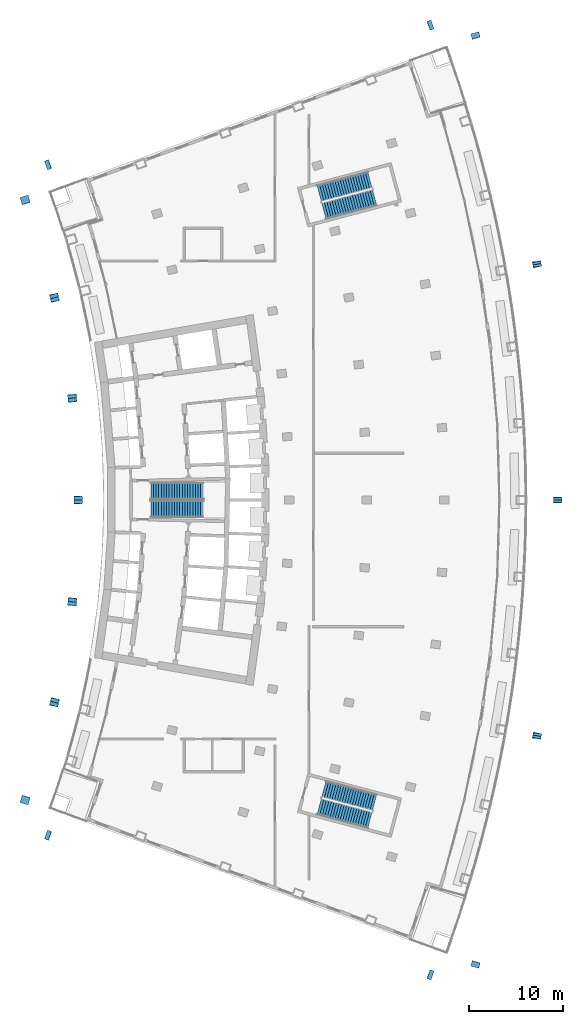
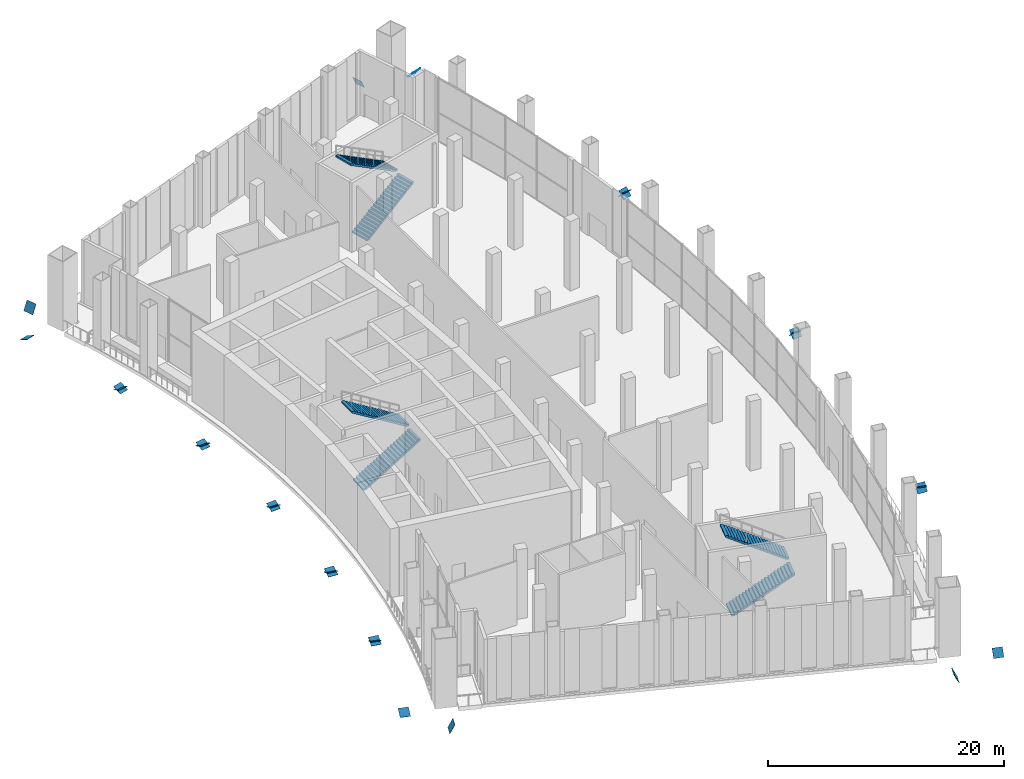
# One storey, part 13 of 18: 24 discrete accessories, 6 stair flights, 3 elements without a shape of their own.
"""IFC4 building model written with IfcOpenShell, lengths in metres."""

from ifc_helpers import new_model, si_unit, direction, frame, origin, origin_2d, place, context, subcontext, project, spatial, polyline, rectangle, outline, extrude, material, layer, layer_set, material_profile, profile_set, type_object, element, aggregate, save


model = new_model("IFC4")

# Units and contexts
model_context = context("Model", 3, precision=1e-05, world=origin(), true_north=direction((0.0, 1.0)))
body_context = subcontext(model_context, "Body", "Model", "MODEL_VIEW")
ifc_project = project(units=[si_unit("LENGTHUNIT", "METRE"), si_unit("AREAUNIT", "SQUARE_METRE"), si_unit("VOLUMEUNIT", "CUBIC_METRE"), si_unit("PLANEANGLEUNIT", "RADIAN"), si_unit("MASSUNIT", "GRAM", prefix="KILO")], contexts=[model_context])

# Site, building, storey
site_placement = place(None, origin())
site = spatial("IfcSite", under=ifc_project, at=site_placement, CompositionType="ELEMENT")
building_placement = place(site_placement, origin())
building = spatial("IfcBuilding", under=site, at=building_placement, Name="Alderwake Tower", CompositionType="ELEMENT")
storey_placement = place(building_placement, frame((0.0, 0.0, 125.60009765625)))
storey = spatial("IfcBuildingStorey", under=building, at=storey_placement, Name="L31", CompositionType="ELEMENT", Elevation=125.60009765625)

# Stair, stair flights
ifc_material_1 = material(Name="Concrete C40/50", Category="concrete")
stair_type = type_object("IfcStairType", Name="Core exit stair", PredefinedType="HALF_TURN_STAIR", material=ifc_material_1)
stair_1_placement = place(storey_placement, origin())
stair_1 = element("IfcStair", 1, at=stair_1_placement, inside=storey, type_object=stair_type, Name="L31 Exit Stair B", PredefinedType="HALF_TURN_STAIR")
ifc_material_2 = material(Name="Concrete C40/50", Category="concrete")
ifc_layer = layer(ifc_material_2, 0.14990234375)
ifc_layer_set = layer_set([ifc_layer], Name="Core stair flight")
stair_flight_type = type_object("IfcStairFlightType", Name="Core stair flight", PredefinedType="STRAIGHT", material=ifc_layer_set)
stair_flight_1_placement = place(storey_placement, frame((21.0400390625, 60.02490234375, 0.0), z_axis=(0.0, 0.0, 1.0), x_axis=(1.0, 0.0, 0.0)))
stair_flight_1 = element("IfcStairFlight", 2, at=stair_flight_1_placement, type_object=stair_flight_type, Name="ST-B flight 1", NumberOfRisers=21, NumberOfTreads=20, PredefinedType="STRAIGHT", RiserHeight=0.171428571, TreadLength=0.28, context=body_context, shape_type="SweptSolid", body=[
    extrude(outline(polyline([(0.0, 0.0), (0.0, 0.17138671875), (0.280029296875, 0.17138671875), (0.280029296875, 0.3427734375), (0.56005859375, 0.3427734375), (0.56005859375, 0.514404296875), (0.840087890625, 0.514404296875), (0.840087890625, 0.685791015625), (1.1201171875, 0.685791015625), (1.1201171875, 0.857177734375), (1.39990234375, 0.857177734375), (1.39990234375, 1.028564453125), (1.679931640625, 1.028564453125), (1.679931640625, 1.199951171875), (1.9599609375, 1.199951171875), (1.9599609375, 1.371337890625), (2.239990234375, 1.371337890625), (2.239990234375, 1.54296875), (2.52001953125, 1.54296875), (2.52001953125, 1.71435546875), (2.800048828125, 1.71435546875), (2.800048828125, 1.8857421875), (3.080078125, 1.8857421875), (3.080078125, 2.05712890625), (3.360107421875, 2.05712890625), (3.360107421875, 2.228515625), (3.639892578125, 2.228515625), (3.639892578125, 2.39990234375), (3.919921875, 2.39990234375), (3.919921875, 2.571533203125), (4.199951171875, 2.571533203125), (4.199951171875, 2.742919921875), (4.47998046875, 2.742919921875), (4.47998046875, 2.914306640625), (4.760009765625, 2.914306640625), (4.760009765625, 3.085693359375), (5.0400390625, 3.085693359375), (5.0400390625, 3.257080078125), (5.320068359375, 3.257080078125), (5.320068359375, 3.428466796875), (5.60009765625, 3.428466796875), (5.60009765625, 3.60009765625), (5.60009765625, 3.252685546875), (0.287109375, 0.0), (0.0, 0.0)])), frame((0.0, 0.89990234375, 0.0), z_axis=(0.0, -1.0, 0.0), x_axis=(1.0, 0.0, 0.0)), (0.0, 0.0, 1.0), 1.800048828125),
])
stair_flight_2_placement = place(storey_placement, frame((26.639892578125, 61.97509765625, 3.599853515625), z_axis=(0.0, 0.0, 1.0), x_axis=(-1.0, 0.0, 0.0)))
stair_flight_2 = element("IfcStairFlight", 3, at=stair_flight_2_placement, type_object=stair_flight_type, Name="ST-B flight 2", NumberOfRisers=21, NumberOfTreads=20, PredefinedType="STRAIGHT", RiserHeight=0.171428571, TreadLength=0.28, context=body_context, shape_type="SweptSolid", body=[
    extrude(outline(polyline([(0.0, 0.0), (0.0, 0.17138671875), (0.280029296875, 0.17138671875), (0.280029296875, 0.3427734375), (0.56005859375, 0.3427734375), (0.56005859375, 0.514404296875), (0.840087890625, 0.514404296875), (0.840087890625, 0.685791015625), (1.1201171875, 0.685791015625), (1.1201171875, 0.857177734375), (1.39990234375, 0.857177734375), (1.39990234375, 1.028564453125), (1.679931640625, 1.028564453125), (1.679931640625, 1.199951171875), (1.9599609375, 1.199951171875), (1.9599609375, 1.371337890625), (2.239990234375, 1.371337890625), (2.239990234375, 1.54296875), (2.52001953125, 1.54296875), (2.52001953125, 1.71435546875), (2.800048828125, 1.71435546875), (2.800048828125, 1.8857421875), (3.080078125, 1.8857421875), (3.080078125, 2.05712890625), (3.360107421875, 2.05712890625), (3.360107421875, 2.228515625), (3.639892578125, 2.228515625), (3.639892578125, 2.39990234375), (3.919921875, 2.39990234375), (3.919921875, 2.571533203125), (4.199951171875, 2.571533203125), (4.199951171875, 2.742919921875), (4.47998046875, 2.742919921875), (4.47998046875, 2.914306640625), (4.760009765625, 2.914306640625), (4.760009765625, 3.085693359375), (5.0400390625, 3.085693359375), (5.0400390625, 3.257080078125), (5.320068359375, 3.257080078125), (5.320068359375, 3.428466796875), (5.60009765625, 3.428466796875), (5.60009765625, 3.60009765625), (5.60009765625, 3.252685546875), (0.287109375, 0.0), (0.0, 0.0)])), frame((0.0, 0.89990234375, 0.0), z_axis=(0.0, -1.0, 0.0), x_axis=(1.0, 0.0, 0.0)), (0.0, 0.0, 1.0), 1.800048828125),
])
aggregate(stair_1, [stair_flight_1, stair_flight_2])

stair_2_placement = place(storey_placement, origin())
stair_2 = element("IfcStair", 4, at=stair_2_placement, inside=storey, type_object=stair_type, Name="L31 Exit Stair A", PredefinedType="HALF_TURN_STAIR")
stair_flight_3_placement = place(storey_placement, frame((39.512939453125, 91.823974609375, 0.0), z_axis=(0.0, 0.0, 1.0), x_axis=(0.966309627437, 0.257382407951, 0.0)))
stair_flight_3 = element("IfcStairFlight", 5, at=stair_flight_3_placement, type_object=stair_flight_type, Name="ST-A flight 1", NumberOfRisers=21, NumberOfTreads=20, PredefinedType="STRAIGHT", RiserHeight=0.171428571, TreadLength=0.28, context=body_context, shape_type="SweptSolid", body=[
    extrude(outline(polyline([(0.0, 0.0), (0.0, 0.17138671875), (0.280029296875, 0.17138671875), (0.280029296875, 0.3427734375), (0.56005859375, 0.3427734375), (0.56005859375, 0.514404296875), (0.840087890625, 0.514404296875), (0.840087890625, 0.685791015625), (1.1201171875, 0.685791015625), (1.1201171875, 0.857177734375), (1.39990234375, 0.857177734375), (1.39990234375, 1.028564453125), (1.679931640625, 1.028564453125), (1.679931640625, 1.199951171875), (1.9599609375, 1.199951171875), (1.9599609375, 1.371337890625), (2.239990234375, 1.371337890625), (2.239990234375, 1.54296875), (2.52001953125, 1.54296875), (2.52001953125, 1.71435546875), (2.800048828125, 1.71435546875), (2.800048828125, 1.8857421875), (3.080078125, 1.8857421875), (3.080078125, 2.05712890625), (3.360107421875, 2.05712890625), (3.360107421875, 2.228515625), (3.639892578125, 2.228515625), (3.639892578125, 2.39990234375), (3.919921875, 2.39990234375), (3.919921875, 2.571533203125), (4.199951171875, 2.571533203125), (4.199951171875, 2.742919921875), (4.47998046875, 2.742919921875), (4.47998046875, 2.914306640625), (4.760009765625, 2.914306640625), (4.760009765625, 3.085693359375), (5.0400390625, 3.085693359375), (5.0400390625, 3.257080078125), (5.320068359375, 3.257080078125), (5.320068359375, 3.428466796875), (5.60009765625, 3.428466796875), (5.60009765625, 3.60009765625), (5.60009765625, 3.252685546875), (0.287109375, 0.0), (0.0, 0.0)])), frame((0.0, 0.89990234375, 0.0), z_axis=(0.0, -1.0, 0.0), x_axis=(1.0, 0.0, 0.0)), (0.0, 0.0, 1.0), 1.800048828125),
])
stair_flight_4_placement = place(storey_placement, frame((44.42236328125, 95.149658203125, 3.599853515625), z_axis=(0.0, 0.0, 1.0), x_axis=(-0.966309627437, -0.257382407951, 0.0)))
stair_flight_4 = element("IfcStairFlight", 6, at=stair_flight_4_placement, type_object=stair_flight_type, Name="ST-A flight 2", NumberOfRisers=21, NumberOfTreads=20, PredefinedType="STRAIGHT", RiserHeight=0.171428571, TreadLength=0.28, context=body_context, shape_type="SweptSolid", body=[
    extrude(outline(polyline([(0.0, 0.0), (0.0, 0.17138671875), (0.280029296875, 0.17138671875), (0.280029296875, 0.3427734375), (0.56005859375, 0.3427734375), (0.56005859375, 0.514404296875), (0.840087890625, 0.514404296875), (0.840087890625, 0.685791015625), (1.1201171875, 0.685791015625), (1.1201171875, 0.857177734375), (1.39990234375, 0.857177734375), (1.39990234375, 1.028564453125), (1.679931640625, 1.028564453125), (1.679931640625, 1.199951171875), (1.9599609375, 1.199951171875), (1.9599609375, 1.371337890625), (2.239990234375, 1.371337890625), (2.239990234375, 1.54296875), (2.52001953125, 1.54296875), (2.52001953125, 1.71435546875), (2.800048828125, 1.71435546875), (2.800048828125, 1.8857421875), (3.080078125, 1.8857421875), (3.080078125, 2.05712890625), (3.360107421875, 2.05712890625), (3.360107421875, 2.228515625), (3.639892578125, 2.228515625), (3.639892578125, 2.39990234375), (3.919921875, 2.39990234375), (3.919921875, 2.571533203125), (4.199951171875, 2.571533203125), (4.199951171875, 2.742919921875), (4.47998046875, 2.742919921875), (4.47998046875, 2.914306640625), (4.760009765625, 2.914306640625), (4.760009765625, 3.085693359375), (5.0400390625, 3.085693359375), (5.0400390625, 3.257080078125), (5.320068359375, 3.257080078125), (5.320068359375, 3.428466796875), (5.60009765625, 3.428466796875), (5.60009765625, 3.60009765625), (5.60009765625, 3.252685546875), (0.287109375, 0.0), (0.0, 0.0)])), frame((0.0, 0.89990234375, 0.0), z_axis=(0.0, -1.0, 0.0), x_axis=(1.0, 0.0, 0.0)), (0.0, 0.0, 1.0), 1.800048828125),
])
aggregate(stair_2, [stair_flight_3, stair_flight_4])

stair_3_placement = place(storey_placement, origin())
stair_3 = element("IfcStair", 7, at=stair_3_placement, inside=storey, type_object=stair_type, Name="L31 Exit Stair C", PredefinedType="HALF_TURN_STAIR")
stair_flight_5_placement = place(storey_placement, frame((39.010986328125, 28.291748046875, 0.0), z_axis=(0.0, 0.0, 1.0), x_axis=(0.966309627437, -0.257382407951, 0.0)))
stair_flight_5 = element("IfcStairFlight", 8, at=stair_flight_5_placement, type_object=stair_flight_type, Name="ST-C flight 1", NumberOfRisers=21, NumberOfTreads=20, PredefinedType="STRAIGHT", RiserHeight=0.171428571, TreadLength=0.28, context=body_context, shape_type="SweptSolid", body=[
    extrude(outline(polyline([(0.0, 0.0), (0.0, 0.17138671875), (0.280029296875, 0.17138671875), (0.280029296875, 0.3427734375), (0.56005859375, 0.3427734375), (0.56005859375, 0.514404296875), (0.840087890625, 0.514404296875), (0.840087890625, 0.685791015625), (1.1201171875, 0.685791015625), (1.1201171875, 0.857177734375), (1.39990234375, 0.857177734375), (1.39990234375, 1.028564453125), (1.679931640625, 1.028564453125), (1.679931640625, 1.199951171875), (1.9599609375, 1.199951171875), (1.9599609375, 1.371337890625), (2.239990234375, 1.371337890625), (2.239990234375, 1.54296875), (2.52001953125, 1.54296875), (2.52001953125, 1.71435546875), (2.800048828125, 1.71435546875), (2.800048828125, 1.8857421875), (3.080078125, 1.8857421875), (3.080078125, 2.05712890625), (3.360107421875, 2.05712890625), (3.360107421875, 2.228515625), (3.639892578125, 2.228515625), (3.639892578125, 2.39990234375), (3.919921875, 2.39990234375), (3.919921875, 2.571533203125), (4.199951171875, 2.571533203125), (4.199951171875, 2.742919921875), (4.47998046875, 2.742919921875), (4.47998046875, 2.914306640625), (4.760009765625, 2.914306640625), (4.760009765625, 3.085693359375), (5.0400390625, 3.085693359375), (5.0400390625, 3.257080078125), (5.320068359375, 3.257080078125), (5.320068359375, 3.428466796875), (5.60009765625, 3.428466796875), (5.60009765625, 3.60009765625), (5.60009765625, 3.252685546875), (0.287109375, 0.0), (0.0, 0.0)])), frame((0.0, 0.89990234375, 0.0), z_axis=(0.0, -1.0, 0.0), x_axis=(1.0, 0.0, 0.0)), (0.0, 0.0, 1.0), 1.800048828125),
])
stair_flight_6_placement = place(storey_placement, frame((44.92431640625, 28.734619140625, 3.599853515625), z_axis=(0.0, 0.0, 1.0), x_axis=(-0.966309627437, 0.257382407951, 0.0)))
stair_flight_6 = element("IfcStairFlight", 9, at=stair_flight_6_placement, type_object=stair_flight_type, Name="ST-C flight 2", NumberOfRisers=21, NumberOfTreads=20, PredefinedType="STRAIGHT", RiserHeight=0.171428571, TreadLength=0.28, context=body_context, shape_type="SweptSolid", body=[
    extrude(outline(polyline([(0.0, 0.0), (0.0, 0.17138671875), (0.280029296875, 0.17138671875), (0.280029296875, 0.3427734375), (0.56005859375, 0.3427734375), (0.56005859375, 0.514404296875), (0.840087890625, 0.514404296875), (0.840087890625, 0.685791015625), (1.1201171875, 0.685791015625), (1.1201171875, 0.857177734375), (1.39990234375, 0.857177734375), (1.39990234375, 1.028564453125), (1.679931640625, 1.028564453125), (1.679931640625, 1.199951171875), (1.9599609375, 1.199951171875), (1.9599609375, 1.371337890625), (2.239990234375, 1.371337890625), (2.239990234375, 1.54296875), (2.52001953125, 1.54296875), (2.52001953125, 1.71435546875), (2.800048828125, 1.71435546875), (2.800048828125, 1.8857421875), (3.080078125, 1.8857421875), (3.080078125, 2.05712890625), (3.360107421875, 2.05712890625), (3.360107421875, 2.228515625), (3.639892578125, 2.228515625), (3.639892578125, 2.39990234375), (3.919921875, 2.39990234375), (3.919921875, 2.571533203125), (4.199951171875, 2.571533203125), (4.199951171875, 2.742919921875), (4.47998046875, 2.742919921875), (4.47998046875, 2.914306640625), (4.760009765625, 2.914306640625), (4.760009765625, 3.085693359375), (5.0400390625, 3.085693359375), (5.0400390625, 3.257080078125), (5.320068359375, 3.257080078125), (5.320068359375, 3.428466796875), (5.60009765625, 3.428466796875), (5.60009765625, 3.60009765625), (5.60009765625, 3.252685546875), (0.287109375, 0.0), (0.0, 0.0)])), frame((0.0, 0.89990234375, 0.0), z_axis=(0.0, -1.0, 0.0), x_axis=(1.0, 0.0, 0.0)), (0.0, 0.0, 1.0), 1.800048828125),
])
aggregate(stair_3, [stair_flight_5, stair_flight_6])

# Discrete accessories
ifc_material_3 = material(Name="Steel ASTM A572 Grade 50", Category="steel")
ifc_material_profile_1 = material_profile(ifc_material_3, rectangle(XDim=1.0, YDim=1.0, at=origin_2d()), Name="BOX 1000X1000X60 cap")
ifc_profile_set_1 = profile_set([ifc_material_profile_1], Name="Steel ASTM A572 Grade 50")
discrete_accessory_type_1 = type_object("IfcDiscreteAccessoryType", Name="End cap plate BOX 1000X1000X60", PredefinedType="USERDEFINED", material=ifc_profile_set_1)
for number, where, z_axis, x_axis, name in (
    (10, (50.8681640625, 10.35498046875, 0.0), (0.843978823867, -0.303176859059, 0.442474334843), (0.338072285558, 0.941120146282, 0.0), "End cap BRS2.2.0A N"),
    (11, (10.099365234375, 25.23681640625, 0.0), (-0.841861852195, 0.310589809548, 0.441364466199), (-0.346127430472, -0.93818750891, 0.0), "End cap BRS2.2.0B2 N"),
    (12, (50.8681640625, 111.64501953125, 0.0), (0.843978823867, 0.303176859059, 0.442474334843), (-0.338072285558, 0.941120146282, 0.0), "End cap BRN2.2.0A N"),
    (13, (10.099365234375, 96.76318359375, 0.0), (-0.841861852195, -0.310589809548, 0.441364466199), (0.346127430472, -0.93818750891, 0.0), "End cap BRN2.2.0B2 N"),
):
    element("IfcDiscreteAccessory", number, at=place(storey_placement, frame(where, z_axis=z_axis, x_axis=x_axis)), inside=storey, type_object=discrete_accessory_type_1, Name=name, ObjectType="END CAP", PredefinedType="USERDEFINED", context=body_context, shape_type="SweptSolid", body=[
        extrude(rectangle(XDim=1.0, YDim=1.0, at=origin_2d()), origin(), (0.0, 0.0, 1.0), 0.02978515625),
    ])
ifc_material_4 = material(Name="Steel ASTM A572 Grade 50", Category="steel")
ifc_material_profile_2 = material_profile(ifc_material_4, rectangle(XDim=0.89990234375, YDim=0.89990234375, at=origin_2d()), Name="BOX 900X900X55 cap")
ifc_profile_set_2 = profile_set([ifc_material_profile_2], Name="Steel ASTM A572 Grade 50")
discrete_accessory_type_2 = type_object("IfcDiscreteAccessoryType", Name="End cap plate BOX 900X900X55", PredefinedType="USERDEFINED", material=ifc_profile_set_2)
discrete_accessory_1_placement = place(storey_placement, frame((62.234375, 35.851806640625, 0.0), z_axis=(0.18861331657, 0.738052108318, 0.647845739524), x_axis=(-0.968862785912, 0.247598267511, 0.0)))
element("IfcDiscreteAccessory", 14, at=discrete_accessory_1_placement, inside=storey, type_object=discrete_accessory_type_2, Name="End cap BRF2.2.1A N", ObjectType="END CAP", PredefinedType="USERDEFINED", context=body_context, shape_type="SweptSolid", body=[
    extrude(rectangle(XDim=0.89990234375, YDim=0.89990234375, at=origin_2d()), origin(), (0.0, 0.0, 1.0), 0.02978515625),
])
discrete_accessory_2_placement = place(storey_placement, frame((55.68359375, 11.4716796875, 0.0), z_axis=(-0.212168916034, -0.734430863196, 0.644667091028), x_axis=(0.960714182841, -0.277539652821, 0.0)))
element("IfcDiscreteAccessory", 15, at=discrete_accessory_2_placement, inside=storey, type_object=discrete_accessory_type_2, Name="End cap BRF2.2.1B2 N", ObjectType="END CAP", PredefinedType="USERDEFINED", context=body_context, shape_type="SweptSolid", body=[
    extrude(rectangle(XDim=0.89990234375, YDim=0.89990234375, at=origin_2d()), origin(), (0.0, 0.0, 1.0), 0.030029296875),
])
for number, where, z_axis, x_axis, name in (
    (16, (64.4404296875, 61.0, 0.0), (0.057271331005, 0.760890540498, 0.646347878488), (-0.997179282295, 0.075056505119, 0.0), "End cap BRF2.2.4A N"),
    (17, (62.234375, 35.851806640625, 0.0), (-0.081676888261, -0.75959506083, 0.645247417264), (0.994268636888, -0.106910606117, 0.0), "End cap BRF2.2.4B2 N"),
    (18, (62.234375, 86.148193359375, 0.0), (-0.081676888261, 0.75959506083, 0.645247417264), (-0.994268636888, -0.106910606117, 0.0), "End cap BRF2.2.7A N"),
    (19, (64.4404296875, 61.0, 0.0), (0.057271331005, -0.760890540498, 0.646347878488), (0.997179282295, 0.075056505119, 0.0), "End cap BRF2.2.7B2 N"),
):
    element("IfcDiscreteAccessory", number, at=place(storey_placement, frame(where, z_axis=z_axis, x_axis=x_axis)), inside=storey, type_object=discrete_accessory_type_2, Name=name, ObjectType="END CAP", PredefinedType="USERDEFINED", context=body_context, shape_type="SweptSolid", body=[
        extrude(rectangle(XDim=0.89990234375, YDim=0.89990234375, at=origin_2d()), origin(), (0.0, 0.0, 1.0), 0.02978515625),
    ])
discrete_accessory_3_placement = place(storey_placement, frame((55.68359375, 110.5283203125, 0.0), z_axis=(-0.212168916034, 0.734430863196, 0.644667091028), x_axis=(-0.960714182841, -0.277539652821, 0.0)))
element("IfcDiscreteAccessory", 20, at=discrete_accessory_3_placement, inside=storey, type_object=discrete_accessory_type_2, Name="End cap BRF2.2.10A N", ObjectType="END CAP", PredefinedType="USERDEFINED", context=body_context, shape_type="SweptSolid", body=[
    extrude(rectangle(XDim=0.89990234375, YDim=0.89990234375, at=origin_2d()), origin(), (0.0, 0.0, 1.0), 0.030029296875),
])
for number, where, z_axis, x_axis, name in (
    (21, (62.234375, 86.148193359375, 0.0), (0.18861331657, -0.738052108318, 0.647845739524), (0.968862785912, 0.247598267511, 0.0), "End cap BRF2.2.10B2 N"),
    (22, (10.771728515625, 39.427001953125, 0.0), (0.130875240782, 0.433524235091, 0.891587577829), (-0.957327710787, 0.289004591936, 0.0), "End cap BRR2.2.1A N"),
    (23, (7.6435546875, 29.007568359375, 0.0), (-0.130875240782, -0.433524235091, 0.891587577829), (0.957327710787, -0.289004591936, 0.0), "End cap BRR2.2.1B2 N"),
    (24, (12.665771484375, 50.1396484375, 0.0), (0.081633333059, 0.448983331822, 0.889803330338), (-0.9838699101, 0.1788854382, 0.0), "End cap BRR2.2.3A N"),
    (25, (10.771728515625, 39.427001953125, 0.0), (-0.081931440599, -0.442429779233, 0.893052702526), (0.983282004984, -0.182089260182, 0.0), "End cap BRR2.2.3B2 N"),
    (26, (13.300048828125, 61.0, 0.0), (0.024564595996, 0.450350926601, 0.892513654536), (-0.998515707931, 0.05446449316, 0.0), "End cap BRR2.2.5A N"),
    (27, (12.665771484375, 50.1396484375, 0.0), (-0.024564595996, -0.450350926601, 0.892513654536), (0.998515707931, -0.05446449316, 0.0), "End cap BRR2.2.5B2 N"),
    (28, (12.665771484375, 71.8603515625, 0.0), (-0.024564595996, 0.450350926601, 0.892513654536), (-0.998515707931, -0.05446449316, 0.0), "End cap BRR2.2.7A N"),
    (29, (13.300048828125, 61.0, 0.0), (0.024564595996, -0.450350926601, 0.892513654536), (0.998515707931, 0.05446449316, 0.0), "End cap BRR2.2.7B2 N"),
    (30, (10.771728515625, 82.572998046875, 0.0), (-0.081931440599, 0.442429779233, 0.893052702526), (-0.983282004984, -0.182089260182, 0.0), "End cap BRR2.2.9A N"),
    (31, (12.665771484375, 71.8603515625, 0.0), (0.081633333059, -0.448983331822, 0.889803330338), (0.9838699101, 0.1788854382, 0.0), "End cap BRR2.2.9B2 N"),
    (32, (7.6435546875, 92.992431640625, 0.0), (-0.130875240782, 0.433524235091, 0.891587577829), (-0.957327710787, -0.289004591936, 0.0), "End cap BRR2.2.11A N"),
    (33, (10.771728515625, 82.572998046875, 0.0), (0.130875240782, -0.433524235091, 0.891587577829), (0.957327710787, 0.289004591936, 0.0), "End cap BRR2.2.11B2 N"),
):
    element("IfcDiscreteAccessory", number, at=place(storey_placement, frame(where, z_axis=z_axis, x_axis=x_axis)), inside=storey, type_object=discrete_accessory_type_2, Name=name, ObjectType="END CAP", PredefinedType="USERDEFINED", context=body_context, shape_type="SweptSolid", body=[
        extrude(rectangle(XDim=0.89990234375, YDim=0.89990234375, at=origin_2d()), origin(), (0.0, 0.0, 1.0), 0.02978515625),
    ])

save(model, "model.ifc")
